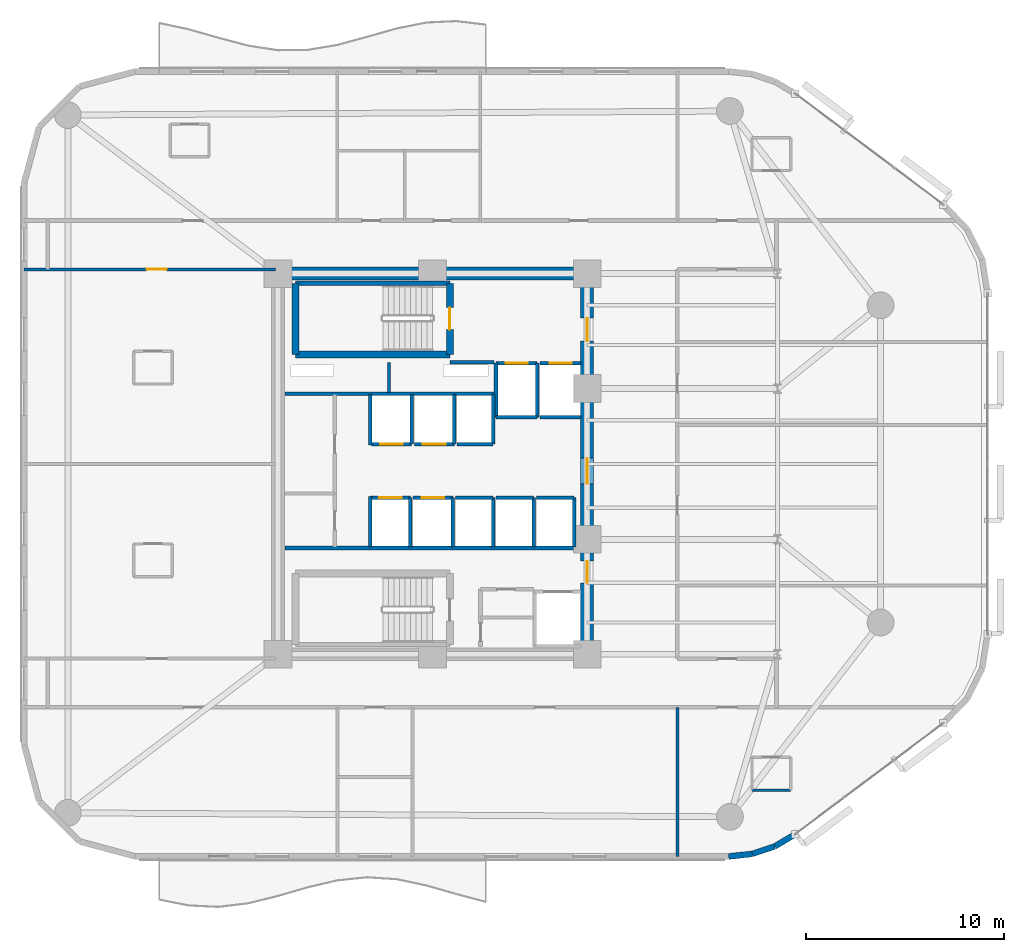
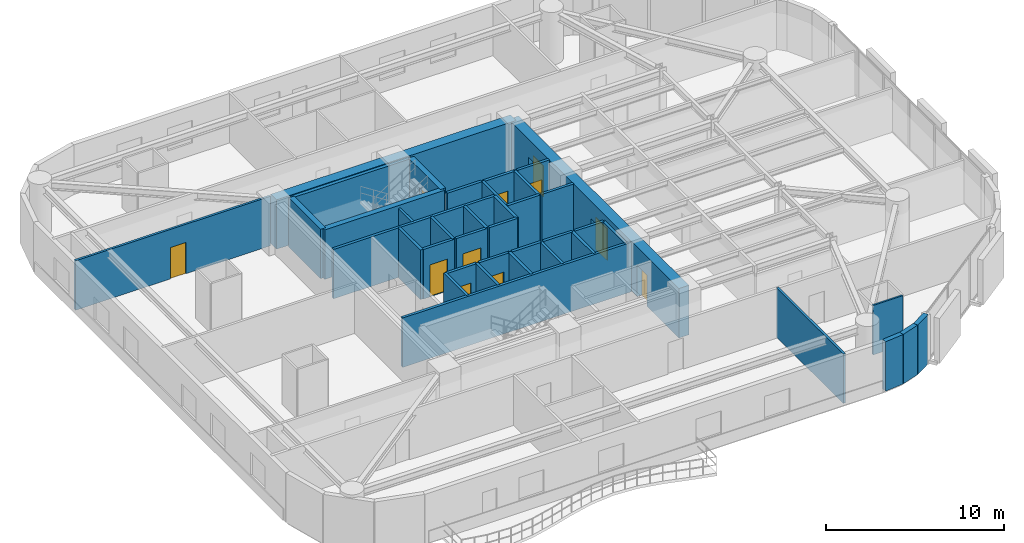
# One storey, part 11 of 15: 40 walls, 11 doors, 11 openings.
"""IFC4 building model written with IfcOpenShell, lengths in metres."""

from ifc_helpers import new_model, si_unit, direction, frame, frame_2d, origin, place, context, subcontext, project, spatial, rectangle, extrude, material, layer, layer_set, type_object, element, fill, save


model = new_model("IFC4")

# Units and contexts
model_context = context("Model", 3, precision=1e-05, world=origin(), true_north=direction((0.0, 1.0)))
body_context = subcontext(model_context, "Body", "Model", "MODEL_VIEW")
ifc_project = project(units=[si_unit("LENGTHUNIT", "METRE"), si_unit("AREAUNIT", "SQUARE_METRE"), si_unit("VOLUMEUNIT", "CUBIC_METRE"), si_unit("PLANEANGLEUNIT", "RADIAN"), si_unit("MASSUNIT", "GRAM", prefix="KILO")], contexts=[model_context])

# Site, building, storey
site_placement = place(None, origin())
site = spatial("IfcSite", under=ifc_project, at=site_placement, CompositionType="ELEMENT")
building_placement = place(site_placement, origin())
building = spatial("IfcBuilding", under=site, at=building_placement, Name="An Khanh Terracotta Commons", CompositionType="ELEMENT")
storey_placement = place(building_placement, frame((0.0, 0.0, 122.300048828125)))
storey = spatial("IfcBuildingStorey", under=building, at=storey_placement, Name="L32", CompositionType="ELEMENT", Elevation=122.300048828125)

# Wall
ifc_material_1 = material(Name="Concrete C60/75", Category="concrete")
ifc_layer_1 = layer(ifc_material_1, 0.64990234375, Name="Concrete C60/75")
ifc_layer_set_1 = layer_set([ifc_layer_1], Name="Concrete C60/75")
wall_type_1 = type_object("IfcWallType", Name="WALL-CORE-650", PredefinedType="SHEAR", material=ifc_layer_set_1)
wall_1_placement = place(storey_placement, frame((21.60009765625, 33.60009765625, 0.0), z_axis=(0.0, 0.0, 1.0), x_axis=(1.0, 0.0, 0.0)))
element("IfcWall", 1, at=wall_1_placement, inside=storey, type_object=wall_type_1, Name="L32 Core Wall CWALL-L32-N", PredefinedType="SHEAR", context=body_context, shape_type="SweptSolid", body=[
    extrude(rectangle(XDim=15.599853515625, YDim=0.64990234375, at=frame_2d((7.7998046875, 0.0))), origin(), (0.0, 0.0, 1.0), 3.39990234375),
])

# Wall, openings, doors
wall_2_placement = place(storey_placement, frame((37.199951171875, 14.39990234375, 0.0), z_axis=(0.0, 0.0, 1.0), x_axis=(0.0, 1.0, 0.0)))
wall_2 = element("IfcWall", 2, at=wall_2_placement, inside=storey, type_object=wall_type_1, Name="L32 Core Wall CWALL-L32-E", PredefinedType="SHEAR", context=body_context, shape_type="SweptSolid", body=[
    extrude(rectangle(XDim=19.2001953125, YDim=0.64990234375, at=frame_2d((9.60009765625, 0.0))), origin(), (0.0, 0.0, 1.0), 3.39990234375),
])
opening_1_placement = place(wall_2_placement, frame((15.800048828125, 0.0, 0.0)))
opening_1 = element("IfcOpeningElement", 3, at=opening_1_placement, cuts=wall_2, Name="Opening D-FFL", PredefinedType="OPENING", context=body_context, shape_type="SweptSolid", body=[
    extrude(rectangle(XDim=1.14990234375, YDim=2.14990234375, at=frame_2d((0.574951171875, 1.074951171875))), frame((0.0, 0.3349609375, 0.0), z_axis=(0.0, -1.0, 0.0), x_axis=(1.0, 0.0, 0.0)), (0.0, 0.0, 1.0), 0.669921875),
])
opening_2_placement = place(wall_2_placement, frame((3.60009765625, 0.0, 0.0)))
opening_2 = element("IfcOpeningElement", 4, at=opening_2_placement, cuts=wall_2, Name="Opening D-ST", PredefinedType="OPENING", context=body_context, shape_type="SweptSolid", body=[
    extrude(rectangle(XDim=1.10009765625, YDim=2.14990234375, at=frame_2d((0.550048828125, 1.074951171875))), frame((0.0, 0.3349609375, 0.0), z_axis=(0.0, -1.0, 0.0), x_axis=(1.0, 0.0, 0.0)), (0.0, 0.0, 1.0), 0.669921875),
])
opening_3_placement = place(wall_2_placement, frame((8.60009765625, 0.0, 0.0)))
opening_3 = element("IfcOpeningElement", 5, at=opening_3_placement, cuts=wall_2, Name="Opening D-COR", PredefinedType="OPENING", context=body_context, shape_type="SweptSolid", body=[
    extrude(rectangle(XDim=1.300048828125, YDim=2.199951171875, at=frame_2d((0.64990234375, 1.10009765625))), frame((0.0, 0.3349609375, 0.0), z_axis=(0.0, -1.0, 0.0), x_axis=(1.0, 0.0, 0.0)), (0.0, 0.0, 1.0), 0.669921875),
])
ifc_material_2 = material(Name="Fire-Rated Glazed Steel Double Door", Category="steel")
door_type_1 = type_object("IfcDoorType", Name="DOOR-CORR-1300", OperationType="NOTDEFINED", PredefinedType="DOOR", material=ifc_material_2)
door_1_placement = place(opening_3_placement, origin())
door_1 = element("IfcDoor", 6, at=door_1_placement, inside=storey, type_object=door_type_1, Name="L32 Passenger Lift Lobby Double Door", OperationType="DOUBLE_DOOR_SINGLE_SWING", OverallHeight=2.199951171875, OverallWidth=1.300048828125, PredefinedType="DOOR", context=body_context, shape_type="SweptSolid", body=[
    extrude(rectangle(XDim=1.300048828125, YDim=2.199951171875, at=frame_2d((0.64990234375, 1.10009765625))), frame((0.0, 0.02490234375, 0.0), z_axis=(0.0, -1.0, 0.0), x_axis=(1.0, 0.0, 0.0)), (0.0, 0.0, 1.0), 0.050048828125),
])
fill(opening_3, door_1)
ifc_material_3 = material(Name="Fire-Rated Steel Leaf and Vision Panel", Category="steel")
door_type_2 = type_object("IfcDoorType", Name="DOOR-FFL-1150", OperationType="NOTDEFINED", PredefinedType="DOOR", material=ifc_material_3)
door_2_placement = place(opening_1_placement, origin())
door_2 = element("IfcDoor", 7, at=door_2_placement, inside=storey, type_object=door_type_2, Name="L32 Firefighting Lift Lobby Fire Door", OperationType="SINGLE_SWING_LEFT", OverallHeight=2.14990234375, OverallWidth=1.14990234375, PredefinedType="DOOR", context=body_context, shape_type="SweptSolid", body=[
    extrude(rectangle(XDim=1.14990234375, YDim=2.14990234375, at=frame_2d((0.574951171875, 1.074951171875))), frame((0.0, 0.02490234375, 0.0), z_axis=(0.0, -1.0, 0.0), x_axis=(1.0, 0.0, 0.0)), (0.0, 0.0, 1.0), 0.050048828125),
])
fill(opening_1, door_2)
ifc_material_4 = material(Name="Fire-Rated Steel Leaf and Frame", Category="steel")
door_type_3 = type_object("IfcDoorType", Name="DOOR-STAIR-1100", OperationType="NOTDEFINED", PredefinedType="DOOR", material=ifc_material_4)
door_3_placement = place(opening_2_placement, origin())
door_3 = element("IfcDoor", 8, at=door_3_placement, inside=storey, type_object=door_type_3, Name="L32 South Stair Lobby Fire Door", OperationType="SINGLE_SWING_RIGHT", OverallHeight=2.14990234375, OverallWidth=1.10009765625, PredefinedType="DOOR", context=body_context, shape_type="SweptSolid", body=[
    extrude(rectangle(XDim=1.10009765625, YDim=2.14990234375, at=frame_2d((0.550048828125, 1.074951171875))), frame((0.0, 0.02490234375, 0.0), z_axis=(0.0, -1.0, 0.0), x_axis=(1.0, 0.0, 0.0)), (0.0, 0.0, 1.0), 0.050048828125),
])
fill(opening_2, door_3)

# Walls
ifc_material_5 = material(Name="Fire-Rated Gypsum Board on Steel Stud", Category="steel")
ifc_layer_2 = layer(ifc_material_5, 0.179931640625, Name="Fire-Rated Gypsum Board on Steel Stud")
ifc_layer_set_2 = layer_set([ifc_layer_2], Name="Fire-Rated Gypsum Board on Steel Stud")
wall_type_2 = type_object("IfcWallType", Name="WALL-CORR-180", PredefinedType="PARTITIONING", material=ifc_layer_set_2)
wall_3_placement = place(storey_placement, frame((30.27001953125, 29.1201171875, 0.0), z_axis=(0.0, 0.0, 1.0), x_axis=(1.0, 0.0, 0.0)))
element("IfcWall", 9, at=wall_3_placement, inside=storey, type_object=wall_type_2, Name="L32 Core Wall FFLW-L32-S", PredefinedType="PARTITIONING", context=body_context, shape_type="SweptSolid", body=[
    extrude(rectangle(XDim=2.239990234375, YDim=0.179931640625, at=frame_2d((1.1201171875, 0.0))), origin(), (0.0, 0.0, 1.0), 3.39990234375),
])
wall_4_placement = place(storey_placement, frame((21.949951171875, 27.5400390625, 0.0), z_axis=(0.0, 0.0, 1.0), x_axis=(1.0, 0.0, 0.0)))
element("IfcWall", 10, at=wall_4_placement, inside=storey, type_object=wall_type_2, Name="L32 Core Wall RSRW-L32-S", PredefinedType="PARTITIONING", context=body_context, shape_type="SweptSolid", body=[
    extrude(rectangle(XDim=10.56005859375, YDim=0.179931640625, at=frame_2d((5.280029296875, 0.0))), origin(), (0.0, 0.0, 1.0), 3.39990234375),
])
wall_5_placement = place(storey_placement, frame((21.949951171875, 19.760009765625, 0.0), z_axis=(0.0, 0.0, 1.0), x_axis=(1.0, 0.0, 0.0)))
element("IfcWall", 11, at=wall_5_placement, inside=storey, type_object=wall_type_2, Name="L32 Core Wall SVW-L32-N", PredefinedType="PARTITIONING", context=body_context, shape_type="SweptSolid", body=[
    extrude(rectangle(XDim=14.8701171875, YDim=0.179931640625, at=frame_2d((7.43505859375, 0.0))), origin(), (0.0, 0.0, 1.0), 3.39990234375),
])

# Wall, opening, door
wall_6_placement = place(storey_placement, frame((32.60009765625, 29.080078125, 0.0), z_axis=(0.0, 0.0, 1.0), x_axis=(1.0, 0.0, 0.0)))
wall_6 = element("IfcWall", 12, at=wall_6_placement, inside=storey, type_object=wall_type_2, Name="L32 Core Wall LSH-L32-FFL-01-N", PredefinedType="PARTITIONING", context=body_context, shape_type="SweptSolid", body=[
    extrude(rectangle(XDim=2.079833984375, YDim=0.179931640625, at=frame_2d((1.0400390625, 0.0))), origin(), (0.0, 0.0, 1.0), 3.39990234375),
])
opening_4_placement = place(wall_6_placement, frame((0.489990234375, 0.0, 0.0)))
opening_4 = element("IfcOpeningElement", 13, at=opening_4_placement, cuts=wall_6, Name="Opening LD-FFL-01-L32", PredefinedType="OPENING", context=body_context, shape_type="SweptSolid", body=[
    extrude(rectangle(XDim=1.10009765625, YDim=2.199951171875, at=frame_2d((0.550048828125, 1.10009765625))), frame((0.0, 0.099853515625, 0.0), z_axis=(0.0, -1.0, 0.0), x_axis=(1.0, 0.0, 0.0)), (0.0, 0.0, 1.0), 0.199951171875),
])
ifc_material_6 = material(Name="Brushed Stainless Steel Fire Landing Door", Category="steel")
door_type_4 = type_object("IfcDoorType", Name="DOOR-LD-FFL-1100", OperationType="NOTDEFINED", PredefinedType="DOOR", material=ifc_material_6)
door_4_placement = place(opening_4_placement, origin())
door_4 = element("IfcDoor", 14, at=door_4_placement, inside=storey, type_object=door_type_4, Name="L32 Lift FFL-01 Sliding Landing Door", OperationType="DOUBLE_DOOR_SLIDING", OverallHeight=2.199951171875, OverallWidth=1.10009765625, PredefinedType="DOOR", context=body_context, shape_type="SweptSolid", body=[
    extrude(rectangle(XDim=1.10009765625, YDim=2.199951171875, at=frame_2d((0.550048828125, 1.10009765625))), frame((0.0, 0.02490234375, 0.0), z_axis=(0.0, -1.0, 0.0), x_axis=(1.0, 0.0, 0.0)), (0.0, 0.0, 1.0), 0.050048828125),
])
fill(opening_4, door_4)

# Walls
wall_7_placement = place(storey_placement, frame((34.679931640625, 26.35009765625, 0.0), z_axis=(0.0, 0.0, 1.0), x_axis=(-1.0, 0.0, 0.0)))
element("IfcWall", 15, at=wall_7_placement, inside=storey, type_object=wall_type_2, Name="L32 Core Wall LSH-L32-FFL-01-S", PredefinedType="PARTITIONING", context=body_context, shape_type="SweptSolid", body=[
    extrude(rectangle(XDim=2.079833984375, YDim=0.179931640625, at=frame_2d((1.0400390625, 0.0))), origin(), (0.0, 0.0, 1.0), 3.39990234375),
])
for number, where, z_axis, x_axis, name in (
    (16, (34.679931640625, 26.35009765625, 0.0), (0.0, 0.0, 1.0), (0.0, 1.0, 0.0), "L32 Core Wall LSH-L32-FFL-01-E"),
    (17, (32.60009765625, 29.080078125, 0.0), (0.0, 0.0, 1.0), (0.0, -1.0, 0.0), "L32 Core Wall LSH-L32-FFL-01-W"),
):
    element("IfcWall", number, at=place(storey_placement, frame(where, z_axis=z_axis, x_axis=x_axis)), inside=storey, type_object=wall_type_2, Name=name, PredefinedType="PARTITIONING", context=body_context, shape_type="SweptSolid", body=[
        extrude(rectangle(XDim=2.72998046875, YDim=0.179931640625, at=frame_2d((1.364990234375, 0.0))), origin(), (0.0, 0.0, 1.0), 3.39990234375),
    ])

# Wall, opening, door
wall_8_placement = place(storey_placement, frame((34.820068359375, 29.080078125, 0.0), z_axis=(0.0, 0.0, 1.0), x_axis=(1.0, 0.0, 0.0)))
wall_8 = element("IfcWall", 18, at=wall_8_placement, inside=storey, type_object=wall_type_2, Name="L32 Core Wall LSH-L32-FFL-02-N", PredefinedType="PARTITIONING", context=body_context, shape_type="SweptSolid", body=[
    extrude(rectangle(XDim=2.079833984375, YDim=0.179931640625, at=frame_2d((1.0400390625, 0.0))), origin(), (0.0, 0.0, 1.0), 3.39990234375),
])
opening_5_placement = place(wall_8_placement, frame((0.489990234375, 0.0, 0.0)))
opening_5 = element("IfcOpeningElement", 19, at=opening_5_placement, cuts=wall_8, Name="Opening LD-FFL-02-L32", PredefinedType="OPENING", context=body_context, shape_type="SweptSolid", body=[
    extrude(rectangle(XDim=1.10009765625, YDim=2.199951171875, at=frame_2d((0.550048828125, 1.10009765625))), frame((0.0, 0.099853515625, 0.0), z_axis=(0.0, -1.0, 0.0), x_axis=(1.0, 0.0, 0.0)), (0.0, 0.0, 1.0), 0.199951171875),
])
door_5_placement = place(opening_5_placement, origin())
door_5 = element("IfcDoor", 20, at=door_5_placement, inside=storey, type_object=door_type_4, Name="L32 Lift FFL-02 Sliding Landing Door", OperationType="DOUBLE_DOOR_SLIDING", OverallHeight=2.199951171875, OverallWidth=1.10009765625, PredefinedType="DOOR", context=body_context, shape_type="SweptSolid", body=[
    extrude(rectangle(XDim=1.10009765625, YDim=2.199951171875, at=frame_2d((0.550048828125, 1.10009765625))), frame((0.0, 0.02490234375, 0.0), z_axis=(0.0, -1.0, 0.0), x_axis=(1.0, 0.0, 0.0)), (0.0, 0.0, 1.0), 0.050048828125),
])
fill(opening_5, door_5)

# Wall
wall_9_placement = place(storey_placement, frame((36.89990234375, 26.35009765625, 0.0), z_axis=(0.0, 0.0, 1.0), x_axis=(-1.0, 0.0, 0.0)))
element("IfcWall", 21, at=wall_9_placement, inside=storey, type_object=wall_type_2, Name="L32 Core Wall LSH-L32-FFL-02-S", PredefinedType="PARTITIONING", context=body_context, shape_type="SweptSolid", body=[
    extrude(rectangle(XDim=2.079833984375, YDim=0.179931640625, at=frame_2d((1.0400390625, 0.0))), origin(), (0.0, 0.0, 1.0), 3.39990234375),
])

# Wall, opening, door
wall_10_placement = place(storey_placement, frame((28.340087890625, 25.0, 0.0), z_axis=(0.0, 0.0, 1.0), x_axis=(-1.0, 0.0, 0.0)))
wall_10 = element("IfcWall", 22, at=wall_10_placement, inside=storey, type_object=wall_type_2, Name="L32 Core Wall LSH-L32-PL-M1-S", PredefinedType="PARTITIONING", context=body_context, shape_type="SweptSolid", body=[
    extrude(rectangle(XDim=2.02001953125, YDim=0.179931640625, at=frame_2d((1.010009765625, 0.0))), origin(), (0.0, 0.0, 1.0), 3.39990234375),
])
opening_6_placement = place(wall_10_placement, frame((0.43505859375, 0.0, 0.0)))
opening_6 = element("IfcOpeningElement", 23, at=opening_6_placement, cuts=wall_10, Name="Opening LD-PL-M1-L32", PredefinedType="OPENING", context=body_context, shape_type="SweptSolid", body=[
    extrude(rectangle(XDim=1.14990234375, YDim=2.199951171875, at=frame_2d((0.574951171875, 1.10009765625))), frame((0.0, 0.099853515625, 0.0), z_axis=(0.0, -1.0, 0.0), x_axis=(1.0, 0.0, 0.0)), (0.0, 0.0, 1.0), 0.199951171875),
])
ifc_material_7 = material(Name="Brushed Stainless Steel Passenger Landing Door", Category="steel")
door_type_5 = type_object("IfcDoorType", Name="DOOR-LD-PAX-1150", OperationType="NOTDEFINED", PredefinedType="DOOR", material=ifc_material_7)
door_6_placement = place(opening_6_placement, origin())
door_6 = element("IfcDoor", 24, at=door_6_placement, inside=storey, type_object=door_type_5, Name="L32 Lift PL-M1 Sliding Landing Door", OperationType="DOUBLE_DOOR_SLIDING", OverallHeight=2.199951171875, OverallWidth=1.14990234375, PredefinedType="DOOR", context=body_context, shape_type="SweptSolid", body=[
    extrude(rectangle(XDim=1.14990234375, YDim=2.199951171875, at=frame_2d((0.574951171875, 1.10009765625))), frame((0.0, 0.02490234375, 0.0), z_axis=(0.0, -1.0, 0.0), x_axis=(1.0, 0.0, 0.0)), (0.0, 0.0, 1.0), 0.050048828125),
])
fill(opening_6, door_6)

# Wall
wall_11_placement = place(storey_placement, frame((28.340087890625, 25.0, 0.0), z_axis=(0.0, 0.0, 1.0), x_axis=(0.0, 1.0, 0.0)))
element("IfcWall", 25, at=wall_11_placement, inside=storey, type_object=wall_type_2, Name="L32 Core Wall LSH-L32-PL-M1-E", PredefinedType="PARTITIONING", context=body_context, shape_type="SweptSolid", body=[
    extrude(rectangle(XDim=2.5, YDim=0.179931640625, at=frame_2d((1.25, 0.0))), origin(), (0.0, 0.0, 1.0), 3.39990234375),
])

# Wall, opening, door
wall_12_placement = place(storey_placement, frame((30.5, 25.0, 0.0), z_axis=(0.0, 0.0, 1.0), x_axis=(-1.0, 0.0, 0.0)))
wall_12 = element("IfcWall", 26, at=wall_12_placement, inside=storey, type_object=wall_type_2, Name="L32 Core Wall LSH-L32-PL-M2-S", PredefinedType="PARTITIONING", context=body_context, shape_type="SweptSolid", body=[
    extrude(rectangle(XDim=2.02001953125, YDim=0.179931640625, at=frame_2d((1.010009765625, 0.0))), origin(), (0.0, 0.0, 1.0), 3.39990234375),
])
opening_7_placement = place(wall_12_placement, frame((0.43505859375, 0.0, 0.0)))
opening_7 = element("IfcOpeningElement", 27, at=opening_7_placement, cuts=wall_12, Name="Opening LD-PL-M2-L32", PredefinedType="OPENING", context=body_context, shape_type="SweptSolid", body=[
    extrude(rectangle(XDim=1.14990234375, YDim=2.199951171875, at=frame_2d((0.574951171875, 1.10009765625))), frame((0.0, 0.099853515625, 0.0), z_axis=(0.0, -1.0, 0.0), x_axis=(1.0, 0.0, 0.0)), (0.0, 0.0, 1.0), 0.199951171875),
])
door_7_placement = place(opening_7_placement, origin())
door_7 = element("IfcDoor", 28, at=door_7_placement, inside=storey, type_object=door_type_5, Name="L32 Lift PL-M2 Sliding Landing Door", OperationType="DOUBLE_DOOR_SLIDING", OverallHeight=2.199951171875, OverallWidth=1.14990234375, PredefinedType="DOOR", context=body_context, shape_type="SweptSolid", body=[
    extrude(rectangle(XDim=1.14990234375, YDim=2.199951171875, at=frame_2d((0.574951171875, 1.10009765625))), frame((0.0, 0.02490234375, 0.0), z_axis=(0.0, -1.0, 0.0), x_axis=(1.0, 0.0, 0.0)), (0.0, 0.0, 1.0), 0.050048828125),
])
fill(opening_7, door_7)

# Wall
wall_13_placement = place(storey_placement, frame((30.5, 25.0, 0.0), z_axis=(0.0, 0.0, 1.0), x_axis=(0.0, 1.0, 0.0)))
element("IfcWall", 29, at=wall_13_placement, inside=storey, type_object=wall_type_2, Name="L32 Core Wall LSH-L32-PL-M2-E", PredefinedType="PARTITIONING", context=body_context, shape_type="SweptSolid", body=[
    extrude(rectangle(XDim=2.5, YDim=0.179931640625, at=frame_2d((1.25, 0.0))), origin(), (0.0, 0.0, 1.0), 3.39990234375),
])

# Wall, opening, door
wall_14_placement = place(storey_placement, frame((26.280029296875, 22.300048828125, 0.0), z_axis=(0.0, 0.0, 1.0), x_axis=(1.0, 0.0, 0.0)))
wall_14 = element("IfcWall", 30, at=wall_14_placement, inside=storey, type_object=wall_type_2, Name="L32 Core Wall LSH-L32-PL-M3-N", PredefinedType="PARTITIONING", context=body_context, shape_type="SweptSolid", body=[
    extrude(rectangle(XDim=2.0, YDim=0.179931640625, at=frame_2d((1.0, 0.0))), origin(), (0.0, 0.0, 1.0), 3.39990234375),
])
opening_8_placement = place(wall_14_placement, frame((0.425048828125, 0.0, 0.0)))
opening_8 = element("IfcOpeningElement", 31, at=opening_8_placement, cuts=wall_14, Name="Opening LD-PL-M3-L32", PredefinedType="OPENING", context=body_context, shape_type="SweptSolid", body=[
    extrude(rectangle(XDim=1.14990234375, YDim=2.199951171875, at=frame_2d((0.574951171875, 1.10009765625))), frame((0.0, 0.099853515625, 0.0), z_axis=(0.0, -1.0, 0.0), x_axis=(1.0, 0.0, 0.0)), (0.0, 0.0, 1.0), 0.199951171875),
])
door_8_placement = place(opening_8_placement, origin())
door_8 = element("IfcDoor", 32, at=door_8_placement, inside=storey, type_object=door_type_5, Name="L32 Lift PL-M3 Sliding Landing Door", OperationType="DOUBLE_DOOR_SLIDING", OverallHeight=2.199951171875, OverallWidth=1.14990234375, PredefinedType="DOOR", context=body_context, shape_type="SweptSolid", body=[
    extrude(rectangle(XDim=1.14990234375, YDim=2.199951171875, at=frame_2d((0.574951171875, 1.10009765625))), frame((0.0, 0.02490234375, 0.0), z_axis=(0.0, -1.0, 0.0), x_axis=(1.0, 0.0, 0.0)), (0.0, 0.0, 1.0), 0.050048828125),
])
fill(opening_8, door_8)

# Wall
wall_15_placement = place(storey_placement, frame((28.280029296875, 19.800048828125, 0.0), z_axis=(0.0, 0.0, 1.0), x_axis=(0.0, 1.0, 0.0)))
element("IfcWall", 33, at=wall_15_placement, inside=storey, type_object=wall_type_2, Name="L32 Core Wall LSH-L32-PL-M3-E", PredefinedType="PARTITIONING", context=body_context, shape_type="SweptSolid", body=[
    extrude(rectangle(XDim=2.5, YDim=0.179931640625, at=frame_2d((1.25, 0.0))), origin(), (0.0, 0.0, 1.0), 3.39990234375),
])

# Wall, opening, door
wall_16_placement = place(storey_placement, frame((28.419921875, 22.300048828125, 0.0), z_axis=(0.0, 0.0, 1.0), x_axis=(1.0, 0.0, 0.0)))
wall_16 = element("IfcWall", 34, at=wall_16_placement, inside=storey, type_object=wall_type_2, Name="L32 Core Wall LSH-L32-PL-M4-N", PredefinedType="PARTITIONING", context=body_context, shape_type="SweptSolid", body=[
    extrude(rectangle(XDim=2.0, YDim=0.179931640625, at=frame_2d((1.0, 0.0))), origin(), (0.0, 0.0, 1.0), 3.39990234375),
])
opening_9_placement = place(wall_16_placement, frame((0.425048828125, 0.0, 0.0)))
opening_9 = element("IfcOpeningElement", 35, at=opening_9_placement, cuts=wall_16, Name="Opening LD-PL-M4-L32", PredefinedType="OPENING", context=body_context, shape_type="SweptSolid", body=[
    extrude(rectangle(XDim=1.14990234375, YDim=2.199951171875, at=frame_2d((0.574951171875, 1.10009765625))), frame((0.0, 0.099853515625, 0.0), z_axis=(0.0, -1.0, 0.0), x_axis=(1.0, 0.0, 0.0)), (0.0, 0.0, 1.0), 0.199951171875),
])
door_9_placement = place(opening_9_placement, origin())
door_9 = element("IfcDoor", 36, at=door_9_placement, inside=storey, type_object=door_type_5, Name="L32 Lift PL-M4 Sliding Landing Door", OperationType="DOUBLE_DOOR_SLIDING", OverallHeight=2.199951171875, OverallWidth=1.14990234375, PredefinedType="DOOR", context=body_context, shape_type="SweptSolid", body=[
    extrude(rectangle(XDim=1.14990234375, YDim=2.199951171875, at=frame_2d((0.574951171875, 1.10009765625))), frame((0.0, 0.02490234375, 0.0), z_axis=(0.0, -1.0, 0.0), x_axis=(1.0, 0.0, 0.0)), (0.0, 0.0, 1.0), 0.050048828125),
])
fill(opening_9, door_9)

# Walls
wall_17_placement = place(storey_placement, frame((30.419921875, 19.800048828125, 0.0), z_axis=(0.0, 0.0, 1.0), x_axis=(0.0, 1.0, 0.0)))
element("IfcWall", 37, at=wall_17_placement, inside=storey, type_object=wall_type_2, Name="L32 Core Wall LSH-L32-PL-M4-E", PredefinedType="PARTITIONING", context=body_context, shape_type="SweptSolid", body=[
    extrude(rectangle(XDim=2.5, YDim=0.179931640625, at=frame_2d((1.25, 0.0))), origin(), (0.0, 0.0, 1.0), 3.39990234375),
])
wall_18_placement = place(storey_placement, frame((32.4599609375, 25.0, 0.0), z_axis=(0.0, 0.0, 1.0), x_axis=(-1.0, 0.0, 0.0)))
element("IfcWall", 38, at=wall_18_placement, inside=storey, type_object=wall_type_2, Name="L32 Core Wall LSH-L32-PL-H1-S", PredefinedType="PARTITIONING", context=body_context, shape_type="SweptSolid", body=[
    extrude(rectangle(XDim=1.820068359375, YDim=0.179931640625, at=frame_2d((0.91015625, 0.0))), origin(), (0.0, 0.0, 1.0), 3.39990234375),
])
wall_19_placement = place(storey_placement, frame((32.4599609375, 25.0, 0.0), z_axis=(0.0, 0.0, 1.0), x_axis=(0.0, 1.0, 0.0)))
element("IfcWall", 39, at=wall_19_placement, inside=storey, type_object=wall_type_2, Name="L32 Core Wall LSH-L32-PL-H1-E", PredefinedType="PARTITIONING", context=body_context, shape_type="SweptSolid", body=[
    extrude(rectangle(XDim=2.5, YDim=0.179931640625, at=frame_2d((1.25, 0.0))), origin(), (0.0, 0.0, 1.0), 3.39990234375),
])
wall_20_placement = place(storey_placement, frame((30.56005859375, 22.300048828125, 0.0), z_axis=(0.0, 0.0, 1.0), x_axis=(1.0, 0.0, 0.0)))
element("IfcWall", 40, at=wall_20_placement, inside=storey, type_object=wall_type_2, Name="L32 Core Wall LSH-L32-PL-H2-N", PredefinedType="PARTITIONING", context=body_context, shape_type="SweptSolid", body=[
    extrude(rectangle(XDim=1.89990234375, YDim=0.179931640625, at=frame_2d((0.949951171875, 0.0))), origin(), (0.0, 0.0, 1.0), 3.39990234375),
])
wall_21_placement = place(storey_placement, frame((32.4599609375, 19.800048828125, 0.0), z_axis=(0.0, 0.0, 1.0), x_axis=(0.0, 1.0, 0.0)))
element("IfcWall", 41, at=wall_21_placement, inside=storey, type_object=wall_type_2, Name="L32 Core Wall LSH-L32-PL-H2-E", PredefinedType="PARTITIONING", context=body_context, shape_type="SweptSolid", body=[
    extrude(rectangle(XDim=2.5, YDim=0.179931640625, at=frame_2d((1.25, 0.0))), origin(), (0.0, 0.0, 1.0), 3.39990234375),
])
wall_22_placement = place(storey_placement, frame((32.60009765625, 22.300048828125, 0.0), z_axis=(0.0, 0.0, 1.0), x_axis=(1.0, 0.0, 0.0)))
element("IfcWall", 42, at=wall_22_placement, inside=storey, type_object=wall_type_2, Name="L32 Core Wall LSH-L32-PL-H3-N", PredefinedType="PARTITIONING", context=body_context, shape_type="SweptSolid", body=[
    extrude(rectangle(XDim=1.89990234375, YDim=0.179931640625, at=frame_2d((0.949951171875, 0.0))), origin(), (0.0, 0.0, 1.0), 3.39990234375),
])
wall_23_placement = place(storey_placement, frame((34.5, 19.800048828125, 0.0), z_axis=(0.0, 0.0, 1.0), x_axis=(0.0, 1.0, 0.0)))
element("IfcWall", 43, at=wall_23_placement, inside=storey, type_object=wall_type_2, Name="L32 Core Wall LSH-L32-PL-H3-E", PredefinedType="PARTITIONING", context=body_context, shape_type="SweptSolid", body=[
    extrude(rectangle(XDim=2.5, YDim=0.179931640625, at=frame_2d((1.25, 0.0))), origin(), (0.0, 0.0, 1.0), 3.39990234375),
])
wall_24_placement = place(storey_placement, frame((34.639892578125, 22.300048828125, 0.0), z_axis=(0.0, 0.0, 1.0), x_axis=(1.0, 0.0, 0.0)))
element("IfcWall", 44, at=wall_24_placement, inside=storey, type_object=wall_type_2, Name="L32 Core Wall LSH-L32-PL-H4-N", PredefinedType="PARTITIONING", context=body_context, shape_type="SweptSolid", body=[
    extrude(rectangle(XDim=1.900146484375, YDim=0.179931640625, at=frame_2d((0.9501953125, 0.0))), origin(), (0.0, 0.0, 1.0), 3.39990234375),
])
wall_25_placement = place(storey_placement, frame((36.5400390625, 19.800048828125, 0.0), z_axis=(0.0, 0.0, 1.0), x_axis=(0.0, 1.0, 0.0)))
element("IfcWall", 45, at=wall_25_placement, inside=storey, type_object=wall_type_2, Name="L32 Core Wall LSH-L32-PL-H4-E", PredefinedType="PARTITIONING", context=body_context, shape_type="SweptSolid", body=[
    extrude(rectangle(XDim=2.5, YDim=0.179931640625, at=frame_2d((1.25, 0.0))), origin(), (0.0, 0.0, 1.0), 3.39990234375),
])
for number, where, z_axis, x_axis, name in (
    (46, (26.25, 24.949951171875, 0.0), (0.0, 0.0, 1.0), (0.0, 1.0, 0.0), "L32 Core Wall RECW-L32-BE1"),
    (47, (26.25, 19.800048828125, 0.0), (0.0, 0.0, 1.0), (0.0, 1.0, 0.0), "L32 Core Wall RECW-L32-BE2"),
):
    element("IfcWall", number, at=place(storey_placement, frame(where, z_axis=z_axis, x_axis=x_axis)), inside=storey, type_object=wall_type_2, Name=name, PredefinedType="PARTITIONING", context=body_context, shape_type="SweptSolid", body=[
        extrude(rectangle(XDim=2.550048828125, YDim=0.179931640625, at=frame_2d((1.27490234375, 0.0))), origin(), (0.0, 0.0, 1.0), 3.39990234375),
    ])
ifc_material_8 = material(Name="Precast concrete C40/50", Category="concrete")
ifc_layer_3 = layer(ifc_material_8, 0.300048828125, Name="Precast concrete C40/50")
ifc_layer_set_3 = layer_set([ifc_layer_3], Name="Precast concrete C40/50")
wall_type_3 = type_object("IfcWallType", Name="WALL-EXT-300", PredefinedType="SOLIDWALL", material=ifc_layer_set_3)
wall_26_placement = place(storey_placement, frame((44.3330078125, 4.199951171875, 0.0), z_axis=(0.0, 0.0, 1.0), x_axis=(0.994289103787, 0.106720092254, 0.0)))
element("IfcWall", 48, at=wall_26_placement, inside=storey, type_object=wall_type_3, Name="L32 Insulated Terracotta Exterior Wall 5", PredefinedType="SOLIDWALL", context=body_context, shape_type="SweptSolid", body=[
    extrude(rectangle(XDim=1.19873046875, YDim=0.300048828125, at=frame_2d((0.599365234375, 0.0))), origin(), (0.0, 0.0, 1.0), 3.39990234375),
])
wall_27_placement = place(storey_placement, frame((45.52490234375, 4.327880859375, 0.0), z_axis=(0.0, 0.0, 1.0), x_axis=(0.948744332129, 0.316044604847, 0.0)))
element("IfcWall", 49, at=wall_27_placement, inside=storey, type_object=wall_type_3, Name="L32 Insulated Terracotta Exterior Wall 6", PredefinedType="SOLIDWALL", context=body_context, shape_type="SweptSolid", body=[
    extrude(rectangle(XDim=1.19970703125, YDim=0.300048828125, at=frame_2d((0.599853515625, 0.0))), origin(), (0.0, 0.0, 1.0), 3.39990234375),
])
wall_28_placement = place(storey_placement, frame((46.6630859375, 4.70703125, 0.0), z_axis=(0.0, 0.0, 1.0), x_axis=(0.859320591642, 0.511437308749, 0.0)))
element("IfcWall", 50, at=wall_28_placement, inside=storey, type_object=wall_type_3, Name="L32 Insulated Terracotta Exterior Wall 7", PredefinedType="SOLIDWALL", context=body_context, shape_type="SweptSolid", body=[
    extrude(rectangle(XDim=1.19873046875, YDim=0.300048828125, at=frame_2d((0.599365234375, 0.0))), origin(), (0.0, 0.0, 1.0), 3.39990234375),
])
ifc_material_9 = material(Name="Acoustic Gypsum Board Partition")
ifc_layer_4 = layer(ifc_material_9, 0.14990234375, Name="Acoustic Gypsum Board Partition")
ifc_layer_set_4 = layer_set([ifc_layer_4], Name="Acoustic Gypsum Board Partition")
wall_type_4 = type_object("IfcWallType", Name="WALL-PART-150", PredefinedType="PARTITIONING", material=ifc_layer_set_4)
wall_29_placement = place(storey_placement, frame((27.199951171875, 27.60009765625, 0.0), z_axis=(0.0, 0.0, 1.0), x_axis=(0.0, 1.0, 0.0)))
element("IfcWall", 51, at=wall_29_placement, inside=storey, type_object=wall_type_4, Name="L32 Core Wall RSRW-L32-D1", PredefinedType="PARTITIONING", context=body_context, shape_type="SweptSolid", body=[
    extrude(rectangle(XDim=1.52001953125, YDim=0.14990234375, at=frame_2d((0.760009765625, 0.0))), origin(), (0.0, 0.0, 1.0), 3.39990234375),
])

# Wall, opening, door
wall_30_placement = place(storey_placement, frame((8.800048828125, 33.820068359375, 0.0), z_axis=(0.0, 0.0, 1.0), x_axis=(1.0, 0.0, 0.0)))
wall_30 = element("IfcWall", 52, at=wall_30_placement, inside=storey, type_object=wall_type_4, Name="L32 Interior Partition IW-L32-E009", PredefinedType="PARTITIONING", context=body_context, shape_type="SweptSolid", body=[
    extrude(rectangle(XDim=12.679931640625, YDim=0.14990234375, at=frame_2d((6.33984375, 0.0))), origin(), (0.0, 0.0, 1.0), 3.39990234375),
])
opening_10_placement = place(wall_30_placement, frame((6.179931640625, 0.0, 0.0)))
opening_10 = element("IfcOpeningElement", 53, at=opening_10_placement, cuts=wall_30, Name="Opening D-UN", PredefinedType="OPENING", context=body_context, shape_type="SweptSolid", body=[
    extrude(rectangle(XDim=1.0, YDim=2.14990234375, at=frame_2d((0.5, 1.074951171875))), frame((0.0, 0.0849609375, 0.0), z_axis=(0.0, -1.0, 0.0), x_axis=(1.0, 0.0, 0.0)), (0.0, 0.0, 1.0), 0.169921875),
])
ifc_material_10 = material(Name="Solid-Core Hardwood Acoustic Fire Door", Category="wood")
door_type_6 = type_object("IfcDoorType", Name="DOOR-UNIT-1000", OperationType="NOTDEFINED", PredefinedType="DOOR", material=ifc_material_10)
door_10_placement = place(opening_10_placement, origin())
door_10 = element("IfcDoor", 54, at=door_10_placement, inside=storey, type_object=door_type_6, Name="L32 WW2 Kitchenette and Studio Apartment Door", OperationType="SINGLE_SWING_RIGHT", OverallHeight=2.14990234375, OverallWidth=1.0, PredefinedType="DOOR", context=body_context, shape_type="SweptSolid", body=[
    extrude(rectangle(XDim=1.0, YDim=2.14990234375, at=frame_2d((0.5, 1.074951171875))), frame((0.0, 0.02490234375, 0.0), z_axis=(0.0, -1.0, 0.0), x_axis=(1.0, 0.0, 0.0)), (0.0, 0.0, 1.0), 0.050048828125),
])
fill(opening_10, door_10)

# Walls
wall_31_placement = place(storey_placement, frame((41.75, 4.199951171875, 0.0), z_axis=(0.0, 0.0, 1.0), x_axis=(0.0, 1.0, 0.0)))
element("IfcWall", 55, at=wall_31_placement, inside=storey, type_object=wall_type_4, Name="L32 Interior Partition IW-L32-E020", PredefinedType="PARTITIONING", context=body_context, shape_type="SweptSolid", body=[
    extrude(rectangle(XDim=7.52001953125, YDim=0.14990234375, at=frame_2d((3.760009765625, 0.0))), origin(), (0.0, 0.0, 1.0), 3.39990234375),
])
ifc_material_11 = material(Name="Acoustic Double-Stud Gypsum and Mineral Wool")
ifc_layer_5 = layer(ifc_material_11, 0.219970703125, Name="Acoustic Double-Stud Gypsum and Mineral Wool")
ifc_layer_set_5 = layer_set([ifc_layer_5], Name="Acoustic Double-Stud Gypsum and Mineral Wool")
wall_type_5 = type_object("IfcWallType", Name="WALL-PARTY-220", PredefinedType="PARTITIONING", material=ifc_layer_set_5)
wall_32_placement = place(storey_placement, frame((22.47998046875, 33.110107421875, 0.0), z_axis=(0.0, 0.0, 1.0), x_axis=(1.0, 0.0, 0.0)))
element("IfcWall", 56, at=wall_32_placement, inside=storey, type_object=wall_type_5, Name="L32 Core Wall STW-L32-N-N", PredefinedType="PARTITIONING", context=body_context, shape_type="SweptSolid", body=[
    extrude(rectangle(XDim=7.7900390625, YDim=0.219970703125, at=frame_2d((3.89501953125, 0.0))), origin(), (0.0, 0.0, 1.0), 3.39990234375),
])
ifc_material_12 = material(Name="Concrete C50/60", Category="concrete")
ifc_layer_6 = layer(ifc_material_12, 0.35009765625, Name="Concrete C50/60")
ifc_layer_set_6 = layer_set([ifc_layer_6], Name="Concrete C50/60")
wall_type_6 = type_object("IfcWallType", Name="WALL-SHAFT-350", PredefinedType="SOLIDWALL", material=ifc_layer_set_6)
wall_33_placement = place(storey_placement, frame((22.47998046875, 29.530029296875, 0.0), z_axis=(0.0, 0.0, 1.0), x_axis=(1.0, 0.0, 0.0)))
element("IfcWall", 57, at=wall_33_placement, inside=storey, type_object=wall_type_6, Name="L32 Core Wall STW-L32-N-S", PredefinedType="SOLIDWALL", context=body_context, shape_type="SweptSolid", body=[
    extrude(rectangle(XDim=7.7900390625, YDim=0.35009765625, at=frame_2d((3.89501953125, 0.0))), origin(), (0.0, 0.0, 1.0), 3.39990234375),
])
wall_34_placement = place(storey_placement, frame((22.47998046875, 29.530029296875, 0.0), z_axis=(0.0, 0.0, 1.0), x_axis=(0.0, 1.0, 0.0)))
element("IfcWall", 58, at=wall_34_placement, inside=storey, type_object=wall_type_6, Name="L32 Core Wall STW-L32-N-W", PredefinedType="SOLIDWALL", context=body_context, shape_type="SweptSolid", body=[
    extrude(rectangle(XDim=3.580078125, YDim=0.35009765625, at=frame_2d((1.7900390625, 0.0))), origin(), (0.0, 0.0, 1.0), 3.39990234375),
])

# Wall, opening, door
wall_35_placement = place(storey_placement, frame((30.27001953125, 29.530029296875, 0.0), z_axis=(0.0, 0.0, 1.0), x_axis=(0.0, 1.0, 0.0)))
wall_35 = element("IfcWall", 59, at=wall_35_placement, inside=storey, type_object=wall_type_6, Name="L32 Core Wall STW-L32-N-E", PredefinedType="SOLIDWALL", context=body_context, shape_type="SweptSolid", body=[
    extrude(rectangle(XDim=3.580078125, YDim=0.35009765625, at=frame_2d((1.7900390625, 0.0))), origin(), (0.0, 0.0, 1.0), 3.39990234375),
])
opening_11_placement = place(wall_35_placement, frame((1.25, 0.0, 0.0)))
opening_11 = element("IfcOpeningElement", 60, at=opening_11_placement, cuts=wall_35, Name="Opening D-ST", PredefinedType="OPENING", context=body_context, shape_type="SweptSolid", body=[
    extrude(rectangle(XDim=1.10009765625, YDim=2.14990234375, at=frame_2d((0.550048828125, 1.074951171875))), frame((0.0, 0.18505859375, 0.0), z_axis=(0.0, -1.0, 0.0), x_axis=(1.0, 0.0, 0.0)), (0.0, 0.0, 1.0), 0.3701171875),
])
door_11_placement = place(opening_11_placement, origin())
door_11 = element("IfcDoor", 61, at=door_11_placement, inside=storey, type_object=door_type_3, Name="L32 Stair ST-01 Fire Door", OperationType="SINGLE_SWING_LEFT", OverallHeight=2.14990234375, OverallWidth=1.10009765625, PredefinedType="DOOR", context=body_context, shape_type="SweptSolid", body=[
    extrude(rectangle(XDim=1.10009765625, YDim=2.14990234375, at=frame_2d((0.550048828125, 1.074951171875))), frame((0.0, 0.02490234375, 0.0), z_axis=(0.0, -1.0, 0.0), x_axis=(1.0, 0.0, 0.0)), (0.0, 0.0, 1.0), 0.050048828125),
])
fill(opening_11, door_11)

# Wall
ifc_material_13 = material(Name="Moisture-Resistant Cement Board Partition")
ifc_layer_7 = layer(ifc_material_13, 0.1201171875, Name="Moisture-Resistant Cement Board Partition")
ifc_layer_set_7 = layer_set([ifc_layer_7], Name="Moisture-Resistant Cement Board Partition")
wall_type_7 = type_object("IfcWallType", Name="WALL-WET-120", PredefinedType="PARTITIONING", material=ifc_layer_set_7)
wall_36_placement = place(storey_placement, frame((47.466064453125, 7.549072265625, 0.0), z_axis=(0.0, 0.0, 1.0), x_axis=(-1.0, 0.0, 0.0)))
element("IfcWall", 62, at=wall_36_placement, inside=storey, type_object=wall_type_7, Name="L32 Interior Partition IW-L32-FANS-BS", PredefinedType="PARTITIONING", context=body_context, shape_type="SweptSolid", body=[
    extrude(rectangle(XDim=1.949951171875, YDim=0.1201171875, at=frame_2d((0.97509765625, 0.0))), origin(), (0.0, 0.0, 1.0), 3.39990234375),
])

save(model, "model.ifc")
